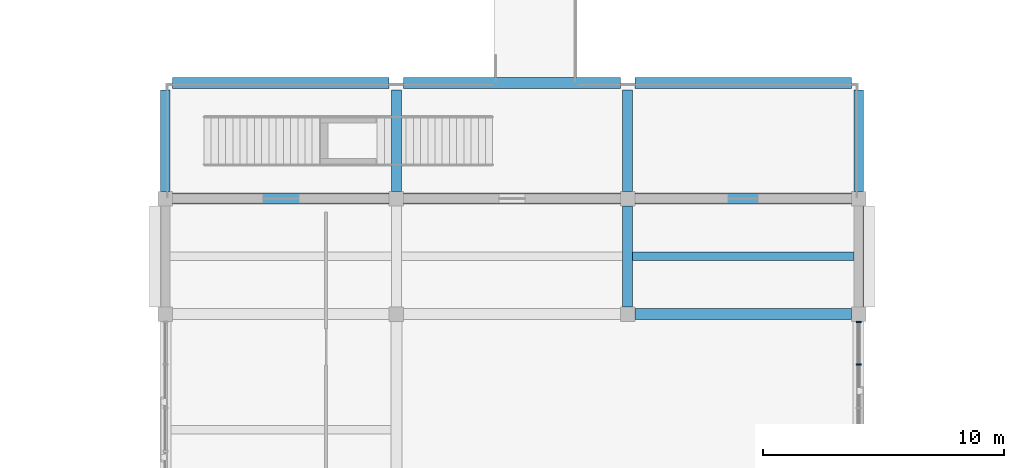
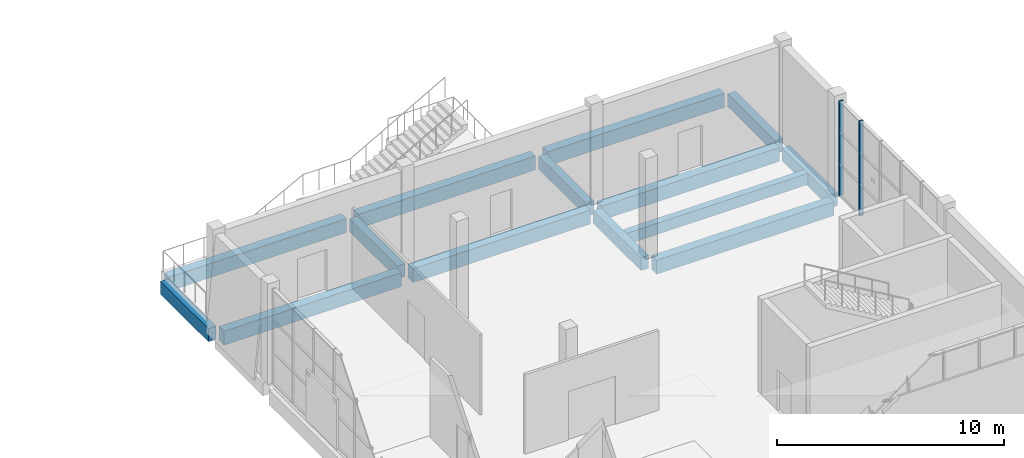
# One storey, part 13 of 57: 14 beams, 2 members, 1 element without a shape of its own.
"""IFC4 building model written with IfcOpenShell, lengths in metres."""

import ifcopenshell
import ifcopenshell.guid

model = None  # the IFC model being written
_history = None  # IfcOwnerHistory: only IFC2X3 demands one
_inside = {}  # id of a spatial element -> (the spatial element, [elements in it])
_under = {}  # id of a project, library or spatial element -> (it, [spatial elements below it])
_declared = {}  # id of a project -> (the project, [libraries it declares])
_typed = {}  # id of a type object -> (the type object, [elements of that type])
_made_of = {}  # id of a material, layer set ... -> (it, [elements and type objects made of it])


def new_model(schema):
    """Start an empty IFC model of exactly this schema.

    Asked for "IFC4X3", IfcOpenShell would pick the latest addendum, in which some entities
    have other attributes; the version numbers below select the first issue.
    IFC2X3 requires an IfcOwnerHistory on every rooted entity: one is made here for all.
    """
    global model, _history
    if schema == "IFC4X3":
        model = ifcopenshell.file(schema_version=(4, 3, 0, 0))
    else:
        model = ifcopenshell.file(schema=schema)
    _inside.clear()
    _under.clear()
    _declared.clear()
    _typed.clear()
    _made_of.clear()
    _history = None
    if model.schema == "IFC2X3":
        org = make("IfcOrganization", Name="unknown")
        user = make(
            "IfcPersonAndOrganization",
            ThePerson=make("IfcPerson", FamilyName="unknown"),
            TheOrganization=org,
        )
        app = make(
            "IfcApplication",
            ApplicationDeveloper=org,
            Version="unknown",
            ApplicationFullName="unknown",
            ApplicationIdentifier="unknown",
        )
        _history = make(
            "IfcOwnerHistory",
            OwningUser=user,
            OwningApplication=app,
            ChangeAction="ADDED",
            CreationDate=0,
        )
    return model


def make(cls, **values):
    """One entity of the class cls with the attributes given. An attribute that is None is left unset."""
    return model.create_entity(
        cls, **{name: value for name, value in values.items() if value is not None}
    )


def rooted(cls, **values):
    """An entity with a GlobalId (a new one), such as an element, a storey or a relation."""
    return make(cls, GlobalId=ifcopenshell.guid.new(), OwnerHistory=_history, **values)


def si_unit(unit_type, name, prefix=None):
    """IfcSIUnit, for example si_unit("LENGTHUNIT", "METRE", prefix="MILLI")."""
    return make("IfcSIUnit", UnitType=unit_type, Prefix=prefix, Name=name)


def assignment(units):
    """IfcUnitAssignment: the units of a project."""
    return None if units is None else make("IfcUnitAssignment", Units=units)


def point(xyz):
    """IfcCartesianPoint."""
    return None if xyz is None else make("IfcCartesianPoint", Coordinates=xyz)


def direction(xyz):
    """IfcDirection."""
    return None if xyz is None else make("IfcDirection", DirectionRatios=xyz)


def frame(location, z_axis=None, x_axis=None):
    """IfcAxis2Placement3D, a coordinate frame: its origin and axes. An axis left out is left unset."""
    return make(
        "IfcAxis2Placement3D",
        Location=point(location),
        Axis=direction(z_axis),
        RefDirection=direction(x_axis),
    )


def frame_2d(location, x_axis=None):
    """IfcAxis2Placement2D, a coordinate frame in the plane: its origin and x axis."""
    return make(
        "IfcAxis2Placement2D", Location=point(location), RefDirection=direction(x_axis)
    )


def origin():
    """The frame at (0, 0, 0) with its axes left unset."""
    return frame((0.0, 0.0, 0.0))


def origin_2d():
    """The frame at (0, 0) in the plane with its x axis left unset."""
    return frame_2d((0.0, 0.0))


def place(relative_to, where):
    """IfcLocalPlacement: puts the frame where relative to a parent placement (None: the world)."""
    return make(
        "IfcLocalPlacement", PlacementRelTo=relative_to, RelativePlacement=where
    )


def context(
    kind, dimensions, precision=None, world=None, true_north=None, identifier=None
):
    """IfcGeometricRepresentationContext, for example the 3D "Model" context."""
    return make(
        "IfcGeometricRepresentationContext",
        ContextIdentifier=identifier,
        ContextType=kind,
        CoordinateSpaceDimension=dimensions,
        Precision=precision,
        WorldCoordinateSystem=world,
        TrueNorth=true_north,
    )


def subcontext(parent, identifier, kind, view, scale=None):
    """IfcGeometricRepresentationSubContext, for example "Body" below "Model"."""
    return make(
        "IfcGeometricRepresentationSubContext",
        ContextIdentifier=identifier,
        ContextType=kind,
        ParentContext=parent,
        TargetScale=scale,
        TargetView=view,
    )


def project(units=None, contexts=None):
    """IfcProject with its units and contexts."""
    return rooted(
        "IfcProject",
        Name="project",
        RepresentationContexts=contexts,
        UnitsInContext=assignment(units),
    )


def spatial(cls, under=None, at=None, **own):
    """A site, building, storey or space (cls), placed at a placement, below another one or the project."""
    s = rooted(cls, ObjectPlacement=at, **own)
    if under is not None:
        _under.setdefault(under.id(), (under, []))[1].append(s)
    return s


def profile(cls, at=None, kind="AREA", **sizes):
    """A parametric profile (cls). Its sizes go by their IFC names, for example OverallWidth=200.0."""
    return make(cls, ProfileType=kind, Position=at, **sizes)


def rectangle(**sizes):
    """IfcRectangleProfileDef."""
    return profile("IfcRectangleProfileDef", **sizes)


def extrude(swept, where, along, depth):
    """IfcExtrudedAreaSolid: the profile swept, set in the frame where, extruded along a direction by depth."""
    return make(
        "IfcExtrudedAreaSolid",
        SweptArea=swept,
        Position=where,
        ExtrudedDirection=direction(along),
        Depth=depth,
    )


def shape(context_of_items, identifier, shape_type, items):
    """IfcShapeRepresentation: the items that make up one representation, for example the "Body"."""
    return make(
        "IfcShapeRepresentation",
        ContextOfItems=context_of_items,
        RepresentationIdentifier=identifier,
        RepresentationType=shape_type,
        Items=items,
    )


def material(Name=None, Category=None):
    """IfcMaterial."""
    return make("IfcMaterial", Name=Name, Category=Category)


def material_profile(
    of_material, cross_section, Name=None, Category=None, Priority=None
):
    """IfcMaterialProfile: a cross section and its material."""
    return make(
        "IfcMaterialProfile",
        Name=Name,
        Material=of_material,
        Profile=cross_section,
        Priority=Priority,
        Category=Category,
    )


def profile_set(profiles, Name=None, composite=None):
    """IfcMaterialProfileSet."""
    return make(
        "IfcMaterialProfileSet",
        Name=Name,
        MaterialProfiles=profiles,
        CompositeProfile=composite,
    )


def made_of(thing, what):
    """Note that an element or type object is made of a material, layer set ...; save() writes the relation."""
    if what is not None:
        _made_of.setdefault(what.id(), (what, []))[1].append(thing)
    return thing


def type_object(cls, material=None, **own):
    """A type object (cls), such as IfcWallType, which elements share."""
    return made_of(rooted(cls, **own), material)


def element(
    cls,
    number,
    at=None,
    inside=None,
    cuts=None,
    type_object=None,
    material=None,
    context=None,
    identifier="Body",
    shape_type=None,
    held_by="IfcProductDefinitionShape",
    body=None,
    shapes=None,
    **own,
):
    """One element of the class cls, such as IfcWall. Its Tag is "e" and its number.

    at: its placement. inside: the storey or other place that contains it. cuts: it is an
    opening in that element (IfcRelVoidsElement). A single representation is given by context,
    identifier, shape_type and body (its items); several are given by shapes. held_by: the class
    of the entity that holds the representations. save() writes the other relations.
    """
    e = rooted(cls, Tag="e%d" % number, ObjectPlacement=at, **own)
    if body is not None:
        shapes = [shape(context, identifier, shape_type, body)]
    if shapes is not None:
        e.Representation = make(held_by, Representations=shapes)
    if inside is not None:
        _inside.setdefault(inside.id(), (inside, []))[1].append(e)
    if cuts is not None:
        rooted(
            "IfcRelVoidsElement", RelatingBuildingElement=cuts, RelatedOpeningElement=e
        )
    if type_object is not None:
        _typed.setdefault(type_object.id(), (type_object, []))[1].append(e)
    return made_of(e, material)


def aggregate(whole, parts):
    """IfcRelAggregates: a whole, such as a stair, and the parts it consists of."""
    return rooted("IfcRelAggregates", RelatingObject=whole, RelatedObjects=parts)


def save(model, path):
    """Write the relations noted so far, then the file.

    IfcRelAggregates (storeys below a building ...), IfcRelContainedInSpatialStructure (elements
    in a storey), IfcRelDefinesByType, IfcRelAssociatesMaterial and IfcRelDeclares: one each for
    every whole, place, type object, material and project.
    """
    for whole, parts in _under.values():
        aggregate(whole, parts)
    for where, things in _inside.values():
        rooted(
            "IfcRelContainedInSpatialStructure",
            RelatedElements=things,
            RelatingStructure=where,
        )
    for kind, things in _typed.values():
        rooted("IfcRelDefinesByType", RelatedObjects=things, RelatingType=kind)
    for what, things in _made_of.values():
        rooted("IfcRelAssociatesMaterial", RelatedObjects=things, RelatingMaterial=what)
    for by, libraries in _declared.values():
        rooted("IfcRelDeclares", RelatingContext=by, RelatedDefinitions=libraries)
    model.write(path)


model = new_model("IFC4")

# Units and contexts
model_context = context("Model", 3, precision=1e-05, world=origin(), true_north=direction((0.0, 1.0)))
body_context = subcontext(model_context, "Body", "Model", "MODEL_VIEW")
ifc_project = project(units=[si_unit("LENGTHUNIT", "METRE"), si_unit("AREAUNIT", "SQUARE_METRE"), si_unit("VOLUMEUNIT", "CUBIC_METRE"), si_unit("PLANEANGLEUNIT", "RADIAN"), si_unit("MASSUNIT", "GRAM", prefix="KILO")], contexts=[model_context])

# Site, building, storey
site_placement = place(None, origin())
site = spatial("IfcSite", under=ifc_project, at=site_placement, CompositionType="ELEMENT")
building_placement = place(site_placement, origin())
building = spatial("IfcBuilding", under=site, at=building_placement, Name="Shalvenor Court Art Gallery", CompositionType="ELEMENT")
storey_placement = place(building_placement, frame((0.0, 0.0, 16.800048828125)))
storey = spatial("IfcBuildingStorey", under=building, at=storey_placement, Name="L03", CompositionType="ELEMENT", Elevation=16.800048828125)

# Beams
ifc_material_1 = material(Name="Concrete C40/50", Category="concrete")
ifc_material_profile_1 = material_profile(ifc_material_1, rectangle(XDim=0.449951171875, YDim=0.75, at=origin_2d()), Name="RC 450x750")
ifc_profile_set_1 = profile_set([ifc_material_profile_1], Name="Concrete C40/50")
beam_type_1 = type_object("IfcBeamType", Name="B-04", PredefinedType="BEAM", material=ifc_profile_set_1)
for number, where, z_axis, x_axis, name in (
    (1, (115.5, 19.199951171875, -0.675048828125), (1.0, 0.0, 0.0), (0.0, 1.0, 0.0), "L03 Girder BM-L03-B-04-1053"),
    (2, (96.300048828125, 24.0, -0.675048828125), (1.0, 0.0, 0.0), (0.0, 1.0, 0.0), "L03 Girder BM-L03-B-04-1054"),
    (3, (105.89990234375, 24.0, -0.675048828125), (1.0, 0.0, 0.0), (0.0, 1.0, 0.0), "L03 Girder BM-L03-B-04-1055"),
    (4, (115.5, 24.0, -0.675048828125), (1.0, 0.0, 0.0), (0.0, 1.0, 0.0), "L03 Girder BM-L03-B-04-1056"),
    (5, (96.300048828125, 28.800048828125, -0.675048828125), (1.0, 0.0, 0.0), (0.0, 1.0, 0.0), "L03 Girder BM-L03-B-04-1064"),
    (6, (105.89990234375, 28.800048828125, -0.675048828125), (1.0, 0.0, 0.0), (0.0, 1.0, 0.0), "L03 Girder BM-L03-B-04-1065"),
    (7, (115.5, 28.800048828125, -0.675048828125), (1.0, 0.0, 0.0), (0.0, 1.0, 0.0), "L03 Girder BM-L03-B-04-1066"),
):
    element("IfcBeam", number, at=place(storey_placement, frame(where, z_axis=z_axis, x_axis=x_axis)), inside=storey, type_object=beam_type_1, Name=name, PredefinedType="BEAM", context=body_context, shape_type="SweptSolid", body=[
        extrude(rectangle(XDim=0.449951171875, YDim=0.75, at=origin_2d()), origin(), (0.0, 0.0, 1.0), 9.0),
    ])
ifc_material_2 = material(Name="Concrete C40/50", Category="concrete")
ifc_material_profile_2 = material_profile(ifc_material_2, rectangle(XDim=0.39990234375, YDim=0.699951171875, at=origin_2d()), Name="RC 400x700")
ifc_profile_set_2 = profile_set([ifc_material_profile_2], Name="Concrete C40/50")
beam_type_2 = type_object("IfcBeamType", Name="B-05", PredefinedType="BEAM", material=ifc_profile_set_2)
for number, where, z_axis, x_axis, name in (
    (8, (96.0, 24.300048828125, -0.650146484375), (0.0, 1.0, 0.0), (-1.0, 0.0, 0.0), "L03 Girder BM-L03-B-05-0992"),
    (9, (105.60009765625, 24.300048828125, -0.650146484375), (0.0, 1.0, 0.0), (-1.0, 0.0, 0.0), "L03 Girder BM-L03-B-05-0999"),
    (10, (115.199951171875, 19.5, -0.650146484375), (0.0, 1.0, 0.0), (-1.0, 0.0, 0.0), "L03 Girder BM-L03-B-05-1003"),
    (11, (115.199951171875, 24.300048828125, -0.650146484375), (0.0, 1.0, 0.0), (-1.0, 0.0, 0.0), "L03 Girder BM-L03-B-05-1004"),
    (12, (124.800048828125, 19.5, -0.650146484375), (0.0, 1.0, 0.0), (-1.0, 0.0, 0.0), "L03 Girder BM-L03-B-05-1008"),
    (13, (124.800048828125, 24.300048828125, -0.650146484375), (0.0, 1.0, 0.0), (-1.0, 0.0, 0.0), "L03 Girder BM-L03-B-05-1009"),
):
    element("IfcBeam", number, at=place(storey_placement, frame(where, z_axis=z_axis, x_axis=x_axis)), inside=storey, type_object=beam_type_2, Name=name, PredefinedType="BEAM", context=body_context, shape_type="SweptSolid", body=[
        extrude(rectangle(XDim=0.39990234375, YDim=0.699951171875, at=origin_2d()), origin(), (0.0, 0.0, 1.0), 4.199951171875),
    ])

# Curtain wall, members
ifc_material_3 = material(Name="Anodised aluminium and low-iron glass curtain wall", Category="aluminium")
curtain_wall_type = type_object("IfcCurtainWallType", Name="CW-5x3-90-51-222", PredefinedType="USERDEFINED", material=ifc_material_3)
curtain_wall_placement = place(storey_placement, origin())
curtain_wall = element("IfcCurtainWall", 14, at=curtain_wall_placement, inside=storey, type_object=curtain_wall_type, Name="L03 V3 Curtain Wall CW-L03-109", ObjectType="CURTAIN WALL", PredefinedType="USERDEFINED")
ifc_material_4 = material(Name="Anodised aluminium mullion", Category="aluminium")
ifc_material_profile_3 = material_profile(ifc_material_4, rectangle(XDim=0.070068359375, YDim=0.199951171875, at=origin_2d()), Name="CWM-02")
ifc_profile_set_3 = profile_set([ifc_material_profile_3], Name="Anodised aluminium mullion")
member_type = type_object("IfcMemberType", Name="CWM-02", PredefinedType="MULLION", material=ifc_profile_set_3)
member_1_placement = place(storey_placement, frame((124.800048828125, 18.864990234375, 0.0), z_axis=(0.0, 0.0, 1.0), x_axis=(0.0, -1.0, 0.0)))
member_1 = element("IfcMember", 15, at=member_1_placement, type_object=member_type, Name="CW-5x3-90-51-222 mullion 1", PredefinedType="MULLION", context=body_context, shape_type="SweptSolid", body=[
    extrude(rectangle(XDim=0.070068359375, YDim=0.199951171875, at=origin_2d()), origin(), (0.0, 0.0, 1.0), 5.099853515625),
])
member_2_placement = place(storey_placement, frame((124.800048828125, 17.10009765625, 0.0), z_axis=(0.0, 0.0, 1.0), x_axis=(0.0, -1.0, 0.0)))
member_2 = element("IfcMember", 16, at=member_2_placement, type_object=member_type, Name="CW-5x3-90-51-222 mullion 2", PredefinedType="MULLION", context=body_context, shape_type="SweptSolid", body=[
    extrude(rectangle(XDim=0.070068359375, YDim=0.199951171875, at=origin_2d()), origin(), (0.0, 0.0, 1.0), 5.099853515625),
])
aggregate(curtain_wall, [member_1, member_2])

# Beam
ifc_material_5 = material(Name="Concrete C40/50", Category="concrete")
ifc_material_profile_4 = material_profile(ifc_material_5, rectangle(XDim=0.35009765625, YDim=0.60009765625, at=origin_2d()), Name="RC 350x600")
ifc_profile_set_4 = profile_set([ifc_material_profile_4], Name="Concrete C40/50")
beam_type_3 = type_object("IfcBeamType", Name="J-01", PredefinedType="JOIST", material=ifc_profile_set_4)
beam_placement = place(storey_placement, frame((115.39990234375, 21.60009765625, -0.60009765625), z_axis=(1.0, 0.0, 0.0), x_axis=(0.0, 1.0, 0.0)))
element("IfcBeam", 17, at=beam_placement, inside=storey, type_object=beam_type_3, Name="L03 Secondary Beam JST-L03-J-01-1150", PredefinedType="JOIST", context=body_context, shape_type="SweptSolid", body=[
    extrude(rectangle(XDim=0.35009765625, YDim=0.60009765625, at=origin_2d()), origin(), (0.0, 0.0, 1.0), 9.2001953125),
])

save(model, "model.ifc")
